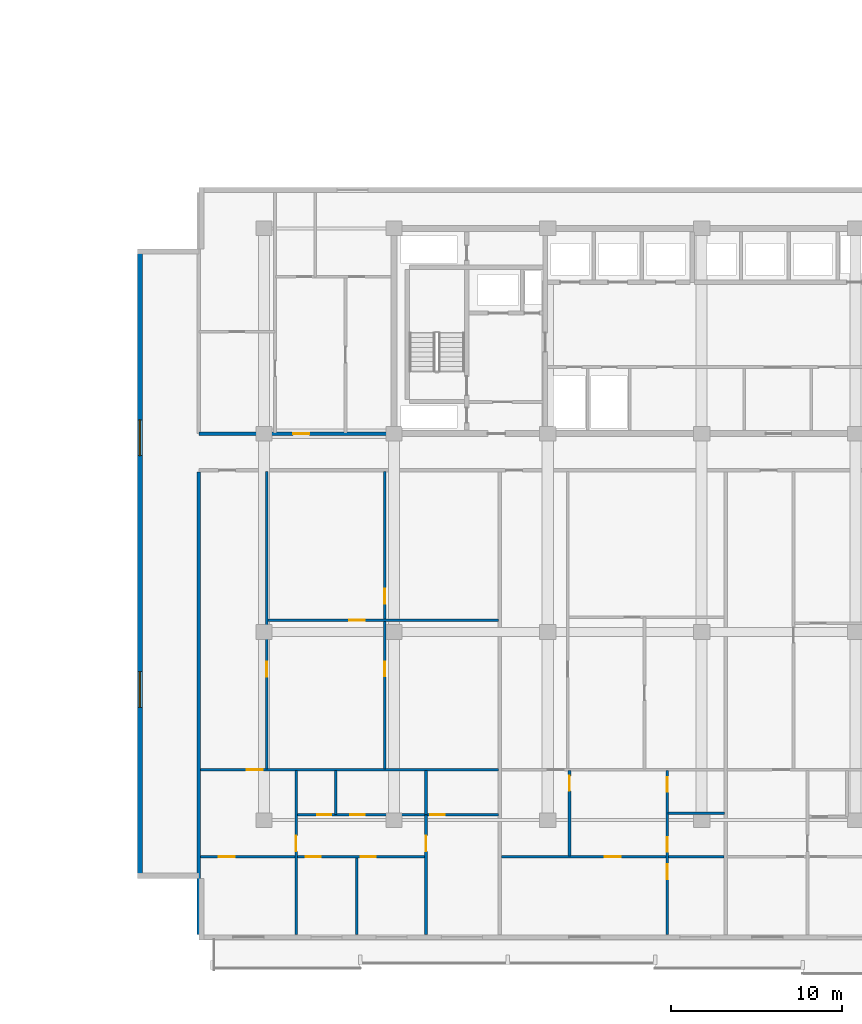
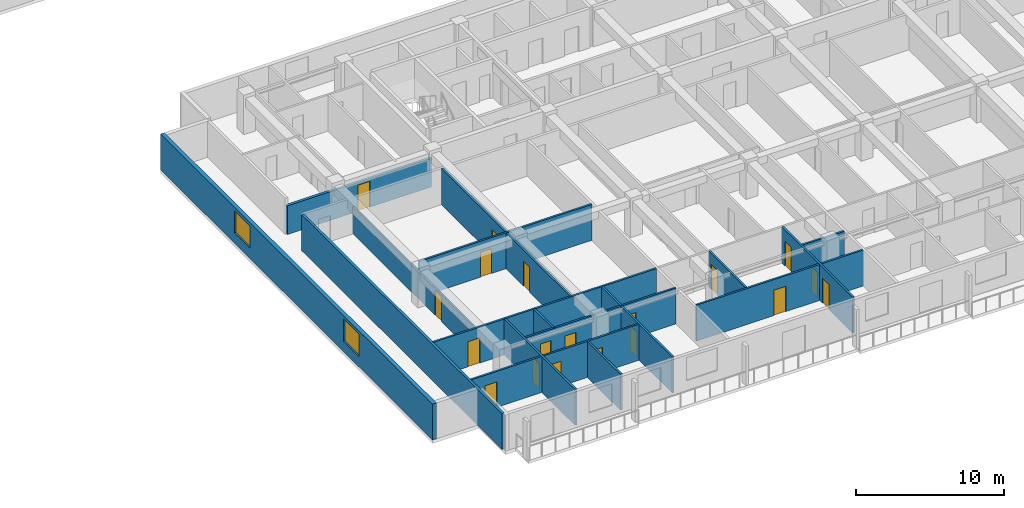
# One storey, part 4 of 23: 19 doors, 18 walls, 2 windows, 21 openings.
"""IFC4 building model written with IfcOpenShell, lengths in metres."""

from ifc_helpers import new_model, si_unit, direction, frame, frame_2d, origin, place, context, subcontext, project, spatial, rectangle, extrude, material, layer, layer_set, type_object, element, fill, save


model = new_model("IFC4")

# Units and contexts
model_context = context("Model", 3, precision=1e-05, world=origin(), true_north=direction((0.0, 1.0)))
body_context = subcontext(model_context, "Body", "Model", "MODEL_VIEW")
ifc_project = project(units=[si_unit("LENGTHUNIT", "METRE"), si_unit("AREAUNIT", "SQUARE_METRE"), si_unit("VOLUMEUNIT", "CUBIC_METRE"), si_unit("PLANEANGLEUNIT", "RADIAN"), si_unit("MASSUNIT", "GRAM", prefix="KILO")], contexts=[model_context])

# Site, building, storey
site_placement = place(None, origin())
site = spatial("IfcSite", under=ifc_project, at=site_placement, CompositionType="ELEMENT")
building_placement = place(site_placement, origin())
building = spatial("IfcBuilding", under=site, at=building_placement, Name="Korimba Cascade Residences", CompositionType="ELEMENT")
storey_placement = place(building_placement, frame((0.0, 0.0, 72.75)))
storey = spatial("IfcBuildingStorey", under=building, at=storey_placement, Name="L20", CompositionType="ELEMENT", Elevation=72.75)

# Wall, openings, windows
ifc_material_1 = material(Name="Precast concrete C40/50", Category="concrete")
ifc_layer_1 = layer(ifc_material_1, 0.300048828125)
ifc_layer_set_1 = layer_set([ifc_layer_1], Name="Precast concrete C40/50")
wall_type_1 = type_object("IfcWallType", Name="EW-STONE-300", PredefinedType="STANDARD", material=ifc_layer_set_1)
wall_1_placement = place(storey_placement, frame((67.25, 29.199951171875, 0.0), z_axis=(0.0, 0.0, 1.0), x_axis=(0.0, -1.0, 0.0)))
wall_1 = element("IfcWall", 1, at=wall_1_placement, inside=storey, type_object=wall_type_1, Name="L20 T2 Perimeter Stone Wall E09", PredefinedType="STANDARD", context=body_context, shape_type="SweptSolid", body=[
    extrude(rectangle(XDim=36.800048828125, YDim=0.300048828125, at=frame_2d((18.39990234375, 0.0))), origin(), (0.0, 0.0, 1.0), 2.969970703125),
])
opening_1_placement = place(wall_1_placement, frame((9.989990234375, 0.0, 0.85009765625)))
opening_1 = element("IfcOpeningElement", 2, at=opening_1_placement, cuts=wall_1, Name="Opening W-03", PredefinedType="OPENING", context=body_context, shape_type="SweptSolid", body=[
    extrude(rectangle(XDim=2.10009765625, YDim=1.85009765625, at=frame_2d((1.050048828125, 0.925048828125))), frame((0.0, 0.16015625, 0.0), z_axis=(0.0, -1.0, 0.0), x_axis=(1.0, 0.0, 0.0)), (0.0, 0.0, 1.0), 0.320068359375),
])
opening_2_placement = place(wall_1_placement, frame((24.7099609375, 0.0, 0.85009765625)))
opening_2 = element("IfcOpeningElement", 3, at=opening_2_placement, cuts=wall_1, Name="Opening W-03", PredefinedType="OPENING", context=body_context, shape_type="SweptSolid", body=[
    extrude(rectangle(XDim=2.10009765625, YDim=1.85009765625, at=frame_2d((1.050048828125, 0.925048828125))), frame((0.0, 0.16015625, 0.0), z_axis=(0.0, -1.0, 0.0), x_axis=(1.0, 0.0, 0.0)), (0.0, 0.0, 1.0), 0.320068359375),
])
ifc_material_2 = material(Name="Double-Glazed Aluminium Window", Category="aluminium")
window_type = type_object("IfcWindowType", Name="WIN-CRN-2100", PartitioningType="DOUBLE_PANEL_HORIZONTAL", PredefinedType="WINDOW", material=ifc_material_2)
window_1_placement = place(opening_1_placement, origin())
window_1 = element("IfcWindow", 4, at=window_1_placement, inside=storey, type_object=window_type, Name="L20 T2 End View Window 9.1", OverallHeight=1.85009765625, OverallWidth=2.10009765625, PartitioningType="DOUBLE_PANEL_HORIZONTAL", PredefinedType="WINDOW", context=body_context, shape_type="SweptSolid", body=[
    extrude(rectangle(XDim=2.10009765625, YDim=1.85009765625, at=frame_2d((1.050048828125, 0.925048828125))), frame((0.0, 0.030029296875, 0.0), z_axis=(0.0, -1.0, 0.0), x_axis=(1.0, 0.0, 0.0)), (0.0, 0.0, 1.0), 0.06005859375),
])
fill(opening_1, window_1)
window_2_placement = place(opening_2_placement, origin())
window_2 = element("IfcWindow", 5, at=window_2_placement, inside=storey, type_object=window_type, Name="L20 T2 End View Window 9.2", OverallHeight=1.85009765625, OverallWidth=2.10009765625, PartitioningType="DOUBLE_PANEL_HORIZONTAL", PredefinedType="WINDOW", context=body_context, shape_type="SweptSolid", body=[
    extrude(rectangle(XDim=2.10009765625, YDim=1.85009765625, at=frame_2d((1.050048828125, 0.925048828125))), frame((0.0, 0.030029296875, 0.0), z_axis=(0.0, -1.0, 0.0), x_axis=(1.0, 0.0, 0.0)), (0.0, 0.0, 1.0), 0.06005859375),
])
fill(opening_2, window_2)

# Wall, opening, door
ifc_layer_2 = layer(ifc_material_1, 0.199951171875)
ifc_layer_set_2 = layer_set([ifc_layer_2], Name="Precast concrete C40/50")
wall_type_2 = type_object("IfcWallType", Name="WAL-IT-200", PredefinedType="PARTITIONING", material=ifc_layer_set_2)
wall_2_placement = place(storey_placement, frame((70.699951171875, 18.39990234375, 0.0), z_axis=(0.0, 0.0, 1.0), x_axis=(1.0, 0.0, 0.0)))
wall_2 = element("IfcWall", 6, at=wall_2_placement, inside=storey, type_object=wall_type_2, Name="L20 Partition Wall WAL-L20-T2-FW-S", PredefinedType="PARTITIONING", context=body_context, shape_type="SweptSolid", body=[
    extrude(rectangle(XDim=11.25, YDim=0.199951171875, at=frame_2d((5.625, 0.0))), origin(), (0.0, 0.0, 1.0), 2.3701171875),
])
opening_3_placement = place(wall_2_placement, frame((5.50634765625, 0.0, 0.0)))
opening_3 = element("IfcOpeningElement", 7, at=opening_3_placement, cuts=wall_2, Name="Opening D-UN1", PredefinedType="OPENING", context=body_context, shape_type="SweptSolid", body=[
    extrude(rectangle(XDim=0.949951171875, YDim=2.14990234375, at=frame_2d((0.47509765625, 1.074951171875))), frame((0.0, 0.10986328125, 0.0), z_axis=(0.0, -1.0, 0.0), x_axis=(1.0, 0.0, 0.0)), (0.0, 0.0, 1.0), 0.219970703125),
])
ifc_material_3 = material(Name="Fire-Rated Hardwood Apartment Entrance Door", Category="wood")
door_type_1 = type_object("IfcDoorType", Name="DR-FD60-950", OperationType="NOTDEFINED", PredefinedType="DOOR", material=ifc_material_3)
door_1_placement = place(opening_3_placement, origin())
door_1 = element("IfcDoor", 8, at=door_1_placement, inside=storey, type_object=door_type_1, Name="L20-T2-FW Entrance Door", OperationType="SINGLE_SWING_RIGHT", OverallHeight=2.14990234375, OverallWidth=0.949951171875, PredefinedType="DOOR", context=body_context, shape_type="SweptSolid", body=[
    extrude(rectangle(XDim=0.949951171875, YDim=2.14990234375, at=frame_2d((0.47509765625, 1.074951171875))), frame((0.0, 0.02490234375, 0.0), z_axis=(0.0, -1.0, 0.0), x_axis=(1.0, 0.0, 0.0)), (0.0, 0.0, 1.0), 0.050048828125),
])
fill(opening_3, door_1)

# Wall
wall_3_placement = place(storey_placement, frame((70.699951171875, -10.89990234375, 0.0), z_axis=(0.0, 0.0, 1.0), x_axis=(0.0, 1.0, 0.0)))
element("IfcWall", 9, at=wall_3_placement, inside=storey, type_object=wall_type_2, Name="L20 Partition Wall WAL-L20-T2-BNDWL", PredefinedType="PARTITIONING", context=body_context, shape_type="SweptSolid", body=[
    extrude(rectangle(XDim=27.06982421875, YDim=0.199951171875, at=frame_2d((13.534912109375, 0.0))), origin(), (0.0, 0.0, 1.0), 2.969970703125),
])

# Wall, openings, doors
ifc_material_4 = material(Name="Insulated Acoustic Stud Partition", Category="gypsum")
ifc_layer_3 = layer(ifc_material_4, 0.14990234375)
ifc_layer_set_3 = layer_set([ifc_layer_3], Name="Insulated Acoustic Stud Partition")
wall_type_3 = type_object("IfcWallType", Name="WAL-PART-150", PredefinedType="PARTITIONING", material=ifc_layer_set_3)
wall_4_placement = place(storey_placement, frame((81.574951171875, -1.2099609375, 0.0), z_axis=(0.0, 0.0, 1.0), x_axis=(0.0, 1.0, 0.0)))
wall_4 = element("IfcWall", 10, at=wall_4_placement, inside=storey, type_object=wall_type_3, Name="L20 Partition Wall WAL-L20-T2-U01-FMV", PredefinedType="PARTITIONING", context=body_context, shape_type="SweptSolid", body=[
    extrude(rectangle(XDim=17.39990234375, YDim=0.14990234375, at=frame_2d((8.699951171875, 0.0))), origin(), (0.0, 0.0, 1.0), 2.969970703125),
])
opening_4_placement = place(wall_4_placement, frame((5.431884765625, 0.0, 0.0)))
opening_4 = element("IfcOpeningElement", 11, at=opening_4_placement, cuts=wall_4, Name="Opening D-BT1", PredefinedType="OPENING", context=body_context, shape_type="SweptSolid", body=[
    extrude(rectangle(XDim=0.840087890625, YDim=2.0400390625, at=frame_2d((0.419921875, 1.02001953125))), frame((0.0, 0.0849609375, 0.0), z_axis=(0.0, -1.0, 0.0), x_axis=(1.0, 0.0, 0.0)), (0.0, 0.0, 1.0), 0.169921875),
])
opening_5_placement = place(wall_4_placement, frame((9.672119140625, 0.0, 0.0)))
opening_5 = element("IfcOpeningElement", 12, at=opening_5_placement, cuts=wall_4, Name="Opening D-IN2", PredefinedType="OPENING", context=body_context, shape_type="SweptSolid", body=[
    extrude(rectangle(XDim=0.8798828125, YDim=2.06005859375, at=frame_2d((0.43994140625, 1.030029296875))), frame((0.0, 0.0849609375, 0.0), z_axis=(0.0, -1.0, 0.0), x_axis=(1.0, 0.0, 0.0)), (0.0, 0.0, 1.0), 0.169921875),
])
ifc_material_5 = material(Name="Moisture-Resistant Bathroom Timber Door", Category="wood")
door_type_2 = type_object("IfcDoorType", Name="DR-INT-850", OperationType="NOTDEFINED", PredefinedType="DOOR", material=ifc_material_5)
door_2_placement = place(opening_4_placement, origin())
door_2 = element("IfcDoor", 13, at=door_2_placement, inside=storey, type_object=door_type_2, Name="L20-T2-U01 Wardrobe Door", OperationType="SINGLE_SWING_LEFT", OverallHeight=2.0400390625, OverallWidth=0.840087890625, PredefinedType="DOOR", context=body_context, shape_type="SweptSolid", body=[
    extrude(rectangle(XDim=0.840087890625, YDim=2.0400390625, at=frame_2d((0.419921875, 1.02001953125))), frame((0.0, 0.02490234375, 0.0), z_axis=(0.0, -1.0, 0.0), x_axis=(1.0, 0.0, 0.0)), (0.0, 0.0, 1.0), 0.050048828125),
])
fill(opening_4, door_2)
ifc_material_6 = material(Name="Acoustic Timber Bedroom Door", Category="wood")
door_type_3 = type_object("IfcDoorType", Name="DR-INT-880", OperationType="NOTDEFINED", PredefinedType="DOOR", material=ifc_material_6)
door_3_placement = place(opening_5_placement, origin())
door_3 = element("IfcDoor", 14, at=door_3_placement, inside=storey, type_object=door_type_3, Name="L20-T2-U01 Music Lounge Door", OperationType="SINGLE_SWING_RIGHT", OverallHeight=2.06005859375, OverallWidth=0.8798828125, PredefinedType="DOOR", context=body_context, shape_type="SweptSolid", body=[
    extrude(rectangle(XDim=0.8798828125, YDim=2.06005859375, at=frame_2d((0.43994140625, 1.030029296875))), frame((0.0, 0.02490234375, 0.0), z_axis=(0.0, -1.0, 0.0), x_axis=(1.0, 0.0, 0.0)), (0.0, 0.0, 1.0), 0.050048828125),
])
fill(opening_5, door_3)

# Wall, opening, door
wall_5_placement = place(storey_placement, frame((74.72998046875, 7.489990234375, 0.0), z_axis=(0.0, 0.0, 1.0), x_axis=(1.0, 0.0, 0.0)))
wall_5 = element("IfcWall", 15, at=wall_5_placement, inside=storey, type_object=wall_type_3, Name="L20 Partition Wall WAL-L20-T2-U01-FMH", PredefinedType="PARTITIONING", context=body_context, shape_type="SweptSolid", body=[
    extrude(rectangle(XDim=13.489990234375, YDim=0.14990234375, at=frame_2d((6.7451171875, 0.0))), origin(), (0.0, 0.0, 1.0), 2.969970703125),
])
opening_6_placement = place(wall_5_placement, frame((4.77392578125, 0.0, 0.0)))
opening_6 = element("IfcOpeningElement", 16, at=opening_6_placement, cuts=wall_5, Name="Opening D-IN2", PredefinedType="OPENING", context=body_context, shape_type="SweptSolid", body=[
    extrude(rectangle(XDim=0.8798828125, YDim=2.06005859375, at=frame_2d((0.43994140625, 1.030029296875))), frame((0.0, 0.0849609375, 0.0), z_axis=(0.0, -1.0, 0.0), x_axis=(1.0, 0.0, 0.0)), (0.0, 0.0, 1.0), 0.169921875),
])
door_4_placement = place(opening_6_placement, origin())
door_4 = element("IfcDoor", 17, at=door_4_placement, inside=storey, type_object=door_type_3, Name="L20-T2-U01 Library Salon Door", OperationType="SINGLE_SWING_LEFT", OverallHeight=2.06005859375, OverallWidth=0.8798828125, PredefinedType="DOOR", context=body_context, shape_type="SweptSolid", body=[
    extrude(rectangle(XDim=0.8798828125, YDim=2.06005859375, at=frame_2d((0.43994140625, 1.030029296875))), frame((0.0, 0.02490234375, 0.0), z_axis=(0.0, -1.0, 0.0), x_axis=(1.0, 0.0, 0.0)), (0.0, 0.0, 1.0), 0.050048828125),
])
fill(opening_6, door_4)

wall_6_placement = place(storey_placement, frame((74.669921875, -1.2099609375, 0.0), z_axis=(0.0, 0.0, 1.0), x_axis=(0.0, 1.0, 0.0)))
wall_6 = element("IfcWall", 18, at=wall_6_placement, inside=storey, type_object=wall_type_3, Name="L20 Partition Wall WAL-L20-T2-U01-FV", PredefinedType="PARTITIONING", context=body_context, shape_type="SweptSolid", body=[
    extrude(rectangle(XDim=17.39990234375, YDim=0.14990234375, at=frame_2d((8.699951171875, 0.0))), origin(), (0.0, 0.0, 1.0), 2.219970703125),
])
opening_7_placement = place(wall_6_placement, frame((5.404052734375, 0.0, 0.0)))
opening_7 = element("IfcOpeningElement", 19, at=opening_7_placement, cuts=wall_6, Name="Opening D-IN2", PredefinedType="OPENING", context=body_context, shape_type="SweptSolid", body=[
    extrude(rectangle(XDim=0.8798828125, YDim=2.06005859375, at=frame_2d((0.43994140625, 1.030029296875))), frame((0.0, 0.0849609375, 0.0), z_axis=(0.0, -1.0, 0.0), x_axis=(1.0, 0.0, 0.0)), (0.0, 0.0, 1.0), 0.169921875),
])
door_5_placement = place(opening_7_placement, origin())
door_5 = element("IfcDoor", 20, at=door_5_placement, inside=storey, type_object=door_type_3, Name="L20-T2-U01 Media Lounge Door", OperationType="SINGLE_SWING_RIGHT", OverallHeight=2.06005859375, OverallWidth=0.8798828125, PredefinedType="DOOR", context=body_context, shape_type="SweptSolid", body=[
    extrude(rectangle(XDim=0.8798828125, YDim=2.06005859375, at=frame_2d((0.43994140625, 1.030029296875))), frame((0.0, 0.02490234375, 0.0), z_axis=(0.0, -1.0, 0.0), x_axis=(1.0, 0.0, 0.0)), (0.0, 0.0, 1.0), 0.050048828125),
])
fill(opening_7, door_5)

# Walls
wall_7_placement = place(storey_placement, frame((78.68994140625, -3.8701171875, 0.0), z_axis=(0.0, 0.0, 1.0), x_axis=(0.0, 1.0, 0.0)))
element("IfcWall", 21, at=wall_7_placement, inside=storey, type_object=wall_type_3, Name="L20 Partition Wall WAL-L20-T2-U01-VDRS", PredefinedType="PARTITIONING", context=body_context, shape_type="SweptSolid", body=[
    extrude(rectangle(XDim=2.580078125, YDim=0.14990234375, at=frame_2d((1.2900390625, 0.0))), origin(), (0.0, 0.0, 1.0), 2.969970703125),
])
wall_8_placement = place(storey_placement, frame((79.929931640625, -10.89990234375, 0.0), z_axis=(0.0, 0.0, 1.0), x_axis=(0.0, 1.0, 0.0)))
element("IfcWall", 22, at=wall_8_placement, inside=storey, type_object=wall_type_3, Name="L20 Partition Wall WAL-L20-T2-U01-VSTD", PredefinedType="PARTITIONING", context=body_context, shape_type="SweptSolid", body=[
    extrude(rectangle(XDim=4.469970703125, YDim=0.14990234375, at=frame_2d((2.23486328125, 0.0))), origin(), (0.0, 0.0, 1.0), 2.969970703125),
])

# Wall, opening, door
wall_9_placement = place(storey_placement, frame((76.3798828125, -10.89990234375, 0.0), z_axis=(0.0, 0.0, 1.0), x_axis=(0.0, 1.0, 0.0)))
wall_9 = element("IfcWall", 23, at=wall_9_placement, inside=storey, type_object=wall_type_3, Name="L20 Partition Wall WAL-L20-T2-U01-V1", PredefinedType="PARTITIONING", context=body_context, shape_type="SweptSolid", body=[
    extrude(rectangle(XDim=9.60986328125, YDim=0.14990234375, at=frame_2d((4.804931640625, 0.0))), origin(), (0.0, 0.0, 1.0), 2.969970703125),
])
opening_8_placement = place(wall_9_placement, frame((4.8701171875, 0.0, 0.0)))
opening_8 = element("IfcOpeningElement", 24, at=opening_8_placement, cuts=wall_9, Name="Opening D-IN1", PredefinedType="OPENING", context=body_context, shape_type="SweptSolid", body=[
    extrude(rectangle(XDim=0.919921875, YDim=2.080078125, at=frame_2d((0.4599609375, 1.0400390625))), frame((0.0, 0.0849609375, 0.0), z_axis=(0.0, -1.0, 0.0), x_axis=(1.0, 0.0, 0.0)), (0.0, 0.0, 1.0), 0.169921875),
])
ifc_material_7 = material(Name="Acoustic Timber Living Door", Category="wood")
door_type_4 = type_object("IfcDoorType", Name="DR-INT-920", OperationType="NOTDEFINED", PredefinedType="DOOR", material=ifc_material_7)
door_6_placement = place(opening_8_placement, origin())
door_6 = element("IfcDoor", 25, at=door_6_placement, inside=storey, type_object=door_type_4, Name="L20-T2-U01 Hallway Door", OperationType="SINGLE_SWING_LEFT", OverallHeight=2.080078125, OverallWidth=0.919921875, PredefinedType="DOOR", context=body_context, shape_type="SweptSolid", body=[
    extrude(rectangle(XDim=0.919921875, YDim=2.080078125, at=frame_2d((0.4599609375, 1.0400390625))), frame((0.0, 0.02490234375, 0.0), z_axis=(0.0, -1.0, 0.0), x_axis=(1.0, 0.0, 0.0)), (0.0, 0.0, 1.0), 0.050048828125),
])
fill(opening_8, door_6)

# Wall
wall_10_placement = place(storey_placement, frame((83.97998046875, -3.8701171875, 0.0), z_axis=(0.0, 0.0, 1.0), x_axis=(0.0, 1.0, 0.0)))
element("IfcWall", 26, at=wall_10_placement, inside=storey, type_object=wall_type_3, Name="L20 Partition Wall WAL-L20-T2-U01-VBATH", PredefinedType="PARTITIONING", context=body_context, shape_type="SweptSolid", body=[
    extrude(rectangle(XDim=2.580078125, YDim=0.14990234375, at=frame_2d((1.2900390625, 0.0))), origin(), (0.0, 0.0, 1.0), 2.969970703125),
])

# Wall, opening, door
wall_11_placement = place(storey_placement, frame((83.97998046875, -10.89990234375, 0.0), z_axis=(0.0, 0.0, 1.0), x_axis=(0.0, 1.0, 0.0)))
wall_11 = element("IfcWall", 27, at=wall_11_placement, inside=storey, type_object=wall_type_3, Name="L20 Partition Wall WAL-L20-T2-U01-V2FULL", PredefinedType="PARTITIONING", context=body_context, shape_type="SweptSolid", body=[
    extrude(rectangle(XDim=6.989990234375, YDim=0.14990234375, at=frame_2d((3.4951171875, 0.0))), origin(), (0.0, 0.0, 1.0), 2.969970703125),
])
opening_9_placement = place(wall_11_placement, frame((4.8701171875, 0.0, 0.0)))
opening_9 = element("IfcOpeningElement", 28, at=opening_9_placement, cuts=wall_11, Name="Opening D-IN1", PredefinedType="OPENING", context=body_context, shape_type="SweptSolid", body=[
    extrude(rectangle(XDim=0.919921875, YDim=2.080078125, at=frame_2d((0.4599609375, 1.0400390625))), frame((0.0, 0.0849609375, 0.0), z_axis=(0.0, -1.0, 0.0), x_axis=(1.0, 0.0, 0.0)), (0.0, 0.0, 1.0), 0.169921875),
])
door_7_placement = place(opening_9_placement, origin())
door_7 = element("IfcDoor", 29, at=door_7_placement, inside=storey, type_object=door_type_4, Name="L20-T2-U01 Master Bedroom Door", OperationType="SINGLE_SWING_RIGHT", OverallHeight=2.080078125, OverallWidth=0.919921875, PredefinedType="DOOR", context=body_context, shape_type="SweptSolid", body=[
    extrude(rectangle(XDim=0.919921875, YDim=2.080078125, at=frame_2d((0.4599609375, 1.0400390625))), frame((0.0, 0.02490234375, 0.0), z_axis=(0.0, -1.0, 0.0), x_axis=(1.0, 0.0, 0.0)), (0.0, 0.0, 1.0), 0.050048828125),
])
fill(opening_9, door_7)

# Wall, openings, doors
wall_12_placement = place(storey_placement, frame((76.419921875, -3.889892578125, 0.0), z_axis=(0.0, 0.0, 1.0), x_axis=(1.0, 0.0, 0.0)))
wall_12 = element("IfcWall", 30, at=wall_12_placement, inside=storey, type_object=wall_type_3, Name="L20 Partition Wall WAL-L20-T2-U01-HWALL", PredefinedType="PARTITIONING", context=body_context, shape_type="SweptSolid", body=[
    extrude(rectangle(XDim=11.800048828125, YDim=0.14990234375, at=frame_2d((5.89990234375, 0.0))), origin(), (0.0, 0.0, 1.0), 2.969970703125),
])
opening_10_placement = place(wall_12_placement, frame((1.19091796875, 0.0, 0.0)))
opening_10 = element("IfcOpeningElement", 31, at=opening_10_placement, cuts=wall_12, Name="Opening D-BT1", PredefinedType="OPENING", context=body_context, shape_type="SweptSolid", body=[
    extrude(rectangle(XDim=0.840087890625, YDim=2.0400390625, at=frame_2d((0.419921875, 1.02001953125))), frame((0.0, 0.0849609375, 0.0), z_axis=(0.0, -1.0, 0.0), x_axis=(1.0, 0.0, 0.0)), (0.0, 0.0, 1.0), 0.169921875),
])
opening_11_placement = place(wall_12_placement, frame((3.131591796875, 0.0, 0.0)))
opening_11 = element("IfcOpeningElement", 32, at=opening_11_placement, cuts=wall_12, Name="Opening D-BT1", PredefinedType="OPENING", context=body_context, shape_type="SweptSolid", body=[
    extrude(rectangle(XDim=0.840087890625, YDim=2.0400390625, at=frame_2d((0.419921875, 1.02001953125))), frame((0.0, 0.0849609375, 0.0), z_axis=(0.0, -1.0, 0.0), x_axis=(1.0, 0.0, 0.0)), (0.0, 0.0, 1.0), 0.169921875),
])
opening_12_placement = place(wall_12_placement, frame((7.81005859375, 0.0, 0.0)))
opening_12 = element("IfcOpeningElement", 33, at=opening_12_placement, cuts=wall_12, Name="Opening D-BT1", PredefinedType="OPENING", context=body_context, shape_type="SweptSolid", body=[
    extrude(rectangle(XDim=0.840087890625, YDim=2.0400390625, at=frame_2d((0.419921875, 1.02001953125))), frame((0.0, 0.0849609375, 0.0), z_axis=(0.0, -1.0, 0.0), x_axis=(1.0, 0.0, 0.0)), (0.0, 0.0, 1.0), 0.169921875),
])
door_8_placement = place(opening_10_placement, origin())
door_8 = element("IfcDoor", 34, at=door_8_placement, inside=storey, type_object=door_type_2, Name="L20-T2-U01 Family Bathroom Door", OperationType="SINGLE_SWING_LEFT", OverallHeight=2.0400390625, OverallWidth=0.840087890625, PredefinedType="DOOR", context=body_context, shape_type="SweptSolid", body=[
    extrude(rectangle(XDim=0.840087890625, YDim=2.0400390625, at=frame_2d((0.419921875, 1.02001953125))), frame((0.0, 0.02490234375, 0.0), z_axis=(0.0, -1.0, 0.0), x_axis=(1.0, 0.0, 0.0)), (0.0, 0.0, 1.0), 0.050048828125),
])
fill(opening_10, door_8)
door_9_placement = place(opening_11_placement, origin())
door_9 = element("IfcDoor", 35, at=door_9_placement, inside=storey, type_object=door_type_2, Name="L20-T2-U01 Dressing Room Door", OperationType="SINGLE_SWING_RIGHT", OverallHeight=2.0400390625, OverallWidth=0.840087890625, PredefinedType="DOOR", context=body_context, shape_type="SweptSolid", body=[
    extrude(rectangle(XDim=0.840087890625, YDim=2.0400390625, at=frame_2d((0.419921875, 1.02001953125))), frame((0.0, 0.02490234375, 0.0), z_axis=(0.0, -1.0, 0.0), x_axis=(1.0, 0.0, 0.0)), (0.0, 0.0, 1.0), 0.050048828125),
])
fill(opening_11, door_9)
door_10_placement = place(opening_12_placement, origin())
door_10 = element("IfcDoor", 36, at=door_10_placement, inside=storey, type_object=door_type_2, Name="L20-T2-U01 En-Suite Door", OperationType="SINGLE_SWING_LEFT", OverallHeight=2.0400390625, OverallWidth=0.840087890625, PredefinedType="DOOR", context=body_context, shape_type="SweptSolid", body=[
    extrude(rectangle(XDim=0.840087890625, YDim=2.0400390625, at=frame_2d((0.419921875, 1.02001953125))), frame((0.0, 0.02490234375, 0.0), z_axis=(0.0, -1.0, 0.0), x_axis=(1.0, 0.0, 0.0)), (0.0, 0.0, 1.0), 0.050048828125),
])
fill(opening_12, door_10)

# Wall, opening, door
wall_13_placement = place(storey_placement, frame((70.780029296875, -1.25, 0.0), z_axis=(0.0, 0.0, 1.0), x_axis=(1.0, 0.0, 0.0)))
wall_13 = element("IfcWall", 37, at=wall_13_placement, inside=storey, type_object=wall_type_3, Name="L20 Partition Wall WAL-L20-T2-U01-MW", PredefinedType="PARTITIONING", context=body_context, shape_type="SweptSolid", body=[
    extrude(rectangle(XDim=17.43994140625, YDim=0.14990234375, at=frame_2d((8.719970703125, 0.0))), origin(), (0.0, 0.0, 1.0), 2.969970703125),
])
opening_13_placement = place(wall_13_placement, frame((2.719970703125, 0.0, 0.0)))
opening_13 = element("IfcOpeningElement", 38, at=opening_13_placement, cuts=wall_13, Name="Opening D-IN1", PredefinedType="OPENING", context=body_context, shape_type="SweptSolid", body=[
    extrude(rectangle(XDim=0.919921875, YDim=2.080078125, at=frame_2d((0.4599609375, 1.0400390625))), frame((0.0, 0.0849609375, 0.0), z_axis=(0.0, -1.0, 0.0), x_axis=(1.0, 0.0, 0.0)), (0.0, 0.0, 1.0), 0.169921875),
])
door_11_placement = place(opening_13_placement, origin())
door_11 = element("IfcDoor", 39, at=door_11_placement, inside=storey, type_object=door_type_4, Name="L20-T2-U01 Kitchen Door", OperationType="SINGLE_SWING_RIGHT", OverallHeight=2.080078125, OverallWidth=0.919921875, PredefinedType="DOOR", context=body_context, shape_type="SweptSolid", body=[
    extrude(rectangle(XDim=0.919921875, YDim=2.080078125, at=frame_2d((0.4599609375, 1.0400390625))), frame((0.0, 0.02490234375, 0.0), z_axis=(0.0, -1.0, 0.0), x_axis=(1.0, 0.0, 0.0)), (0.0, 0.0, 1.0), 0.050048828125),
])
fill(opening_13, door_11)

# Wall, openings, doors
wall_14_placement = place(storey_placement, frame((70.780029296875, -6.35009765625, 0.0), z_axis=(0.0, 0.0, 1.0), x_axis=(1.0, 0.0, 0.0)))
wall_14 = element("IfcWall", 40, at=wall_14_placement, inside=storey, type_object=wall_type_3, Name="L20 Partition Wall WAL-L20-T2-U01-HZ", PredefinedType="PARTITIONING", context=body_context, shape_type="SweptSolid", body=[
    extrude(rectangle(XDim=13.199951171875, YDim=0.14990234375, at=frame_2d((6.60009765625, 0.0))), origin(), (0.0, 0.0, 1.0), 2.969970703125),
])
opening_14_placement = place(wall_14_placement, frame((1.08203125, 0.0, 0.0)))
opening_14 = element("IfcOpeningElement", 41, at=opening_14_placement, cuts=wall_14, Name="Opening D-IN0", PredefinedType="OPENING", context=body_context, shape_type="SweptSolid", body=[
    extrude(rectangle(XDim=0.93994140625, YDim=2.10009765625, at=frame_2d((0.469970703125, 1.050048828125))), frame((0.0, 0.0849609375, 0.0), z_axis=(0.0, -1.0, 0.0), x_axis=(1.0, 0.0, 0.0)), (0.0, 0.0, 1.0), 0.169921875),
])
opening_15_placement = place(wall_14_placement, frame((6.159912109375, 0.0, 0.0)))
opening_15 = element("IfcOpeningElement", 42, at=opening_15_placement, cuts=wall_14, Name="Opening D-IN2", PredefinedType="OPENING", context=body_context, shape_type="SweptSolid", body=[
    extrude(rectangle(XDim=0.8798828125, YDim=2.06005859375, at=frame_2d((0.43994140625, 1.030029296875))), frame((0.0, 0.0849609375, 0.0), z_axis=(0.0, -1.0, 0.0), x_axis=(1.0, 0.0, 0.0)), (0.0, 0.0, 1.0), 0.169921875),
])
opening_16_placement = place(wall_14_placement, frame((9.3701171875, 0.0, 0.0)))
opening_16 = element("IfcOpeningElement", 43, at=opening_16_placement, cuts=wall_14, Name="Opening D-IN2", PredefinedType="OPENING", context=body_context, shape_type="SweptSolid", body=[
    extrude(rectangle(XDim=0.8798828125, YDim=2.06005859375, at=frame_2d((0.43994140625, 1.030029296875))), frame((0.0, 0.0849609375, 0.0), z_axis=(0.0, -1.0, 0.0), x_axis=(1.0, 0.0, 0.0)), (0.0, 0.0, 1.0), 0.169921875),
])
door_12_placement = place(opening_15_placement, origin())
door_12 = element("IfcDoor", 44, at=door_12_placement, inside=storey, type_object=door_type_3, Name="L20-T2-U01 Bedroom 2 Door", OperationType="SINGLE_SWING_RIGHT", OverallHeight=2.06005859375, OverallWidth=0.8798828125, PredefinedType="DOOR", context=body_context, shape_type="SweptSolid", body=[
    extrude(rectangle(XDim=0.8798828125, YDim=2.06005859375, at=frame_2d((0.43994140625, 1.030029296875))), frame((0.0, 0.02490234375, 0.0), z_axis=(0.0, -1.0, 0.0), x_axis=(1.0, 0.0, 0.0)), (0.0, 0.0, 1.0), 0.050048828125),
])
fill(opening_15, door_12)
door_13_placement = place(opening_16_placement, origin())
door_13 = element("IfcDoor", 45, at=door_13_placement, inside=storey, type_object=door_type_3, Name="L20-T2-U01 Study Door", OperationType="SINGLE_SWING_LEFT", OverallHeight=2.06005859375, OverallWidth=0.8798828125, PredefinedType="DOOR", context=body_context, shape_type="SweptSolid", body=[
    extrude(rectangle(XDim=0.8798828125, YDim=2.06005859375, at=frame_2d((0.43994140625, 1.030029296875))), frame((0.0, 0.02490234375, 0.0), z_axis=(0.0, -1.0, 0.0), x_axis=(1.0, 0.0, 0.0)), (0.0, 0.0, 1.0), 0.050048828125),
])
fill(opening_16, door_13)
ifc_material_8 = material(Name="Acoustic Timber Living Archway Door", Category="wood")
door_type_5 = type_object("IfcDoorType", Name="DR-INT-950", OperationType="NOTDEFINED", PredefinedType="DOOR", material=ifc_material_8)
door_14_placement = place(opening_14_placement, origin())
door_14 = element("IfcDoor", 46, at=door_14_placement, inside=storey, type_object=door_type_5, Name="L20-T2-U01 Living Room Door", OperationType="SINGLE_SWING_LEFT", OverallHeight=2.10009765625, OverallWidth=0.93994140625, PredefinedType="DOOR", context=body_context, shape_type="SweptSolid", body=[
    extrude(rectangle(XDim=0.93994140625, YDim=2.10009765625, at=frame_2d((0.469970703125, 1.050048828125))), frame((0.0, 0.02490234375, 0.0), z_axis=(0.0, -1.0, 0.0), x_axis=(1.0, 0.0, 0.0)), (0.0, 0.0, 1.0), 0.050048828125),
])
fill(opening_14, door_14)

# Wall, opening, door
wall_15_placement = place(storey_placement, frame((92.3701171875, -6.2900390625, 0.0), z_axis=(0.0, 0.0, 1.0), x_axis=(0.0, 1.0, 0.0)))
wall_15 = element("IfcWall", 47, at=wall_15_placement, inside=storey, type_object=wall_type_3, Name="L20 Partition Wall WAL-L20-T2-U02-VDIN", PredefinedType="PARTITIONING", context=body_context, shape_type="SweptSolid", body=[
    extrude(rectangle(XDim=5.0, YDim=0.14990234375, at=frame_2d((2.5, 0.0))), origin(), (0.0, 0.0, 1.0), 2.969970703125),
])
opening_17_placement = place(wall_15_placement, frame((3.7958984375, 0.0, 0.0)))
opening_17 = element("IfcOpeningElement", 48, at=opening_17_placement, cuts=wall_15, Name="Opening D-IN2", PredefinedType="OPENING", context=body_context, shape_type="SweptSolid", body=[
    extrude(rectangle(XDim=0.8798828125, YDim=2.06005859375, at=frame_2d((0.43994140625, 1.030029296875))), frame((0.0, 0.0849609375, 0.0), z_axis=(0.0, -1.0, 0.0), x_axis=(1.0, 0.0, 0.0)), (0.0, 0.0, 1.0), 0.169921875),
])
door_15_placement = place(opening_17_placement, origin())
door_15 = element("IfcDoor", 49, at=door_15_placement, inside=storey, type_object=door_type_3, Name="L20-T2-U02 Dining Room Door", OperationType="SINGLE_SWING_LEFT", OverallHeight=2.06005859375, OverallWidth=0.8798828125, PredefinedType="DOOR", context=body_context, shape_type="SweptSolid", body=[
    extrude(rectangle(XDim=0.8798828125, YDim=2.06005859375, at=frame_2d((0.43994140625, 1.030029296875))), frame((0.0, 0.02490234375, 0.0), z_axis=(0.0, -1.0, 0.0), x_axis=(1.0, 0.0, 0.0)), (0.0, 0.0, 1.0), 0.050048828125),
])
fill(opening_17, door_15)

# Wall
wall_16_placement = place(storey_placement, frame((98.139892578125, -3.7900390625, 0.0), z_axis=(0.0, 0.0, 1.0), x_axis=(1.0, 0.0, 0.0)))
element("IfcWall", 50, at=wall_16_placement, inside=storey, type_object=wall_type_3, Name="L20 Partition Wall WAL-L20-T2-U02-BLDIV", PredefinedType="PARTITIONING", context=body_context, shape_type="SweptSolid", body=[
    extrude(rectangle(XDim=3.280029296875, YDim=0.14990234375, at=frame_2d((1.64013671875, 0.0))), origin(), (0.0, 0.0, 1.0), 2.969970703125),
])

# Wall, openings, doors
wall_17_placement = place(storey_placement, frame((98.080078125, -10.89990234375, 0.0), z_axis=(0.0, 0.0, 1.0), x_axis=(0.0, 1.0, 0.0)))
wall_17 = element("IfcWall", 51, at=wall_17_placement, inside=storey, type_object=wall_type_3, Name="L20 Partition Wall WAL-L20-T2-U02-V1", PredefinedType="PARTITIONING", context=body_context, shape_type="SweptSolid", body=[
    extrude(rectangle(XDim=9.60986328125, YDim=0.14990234375, at=frame_2d((4.804931640625, 0.0))), origin(), (0.0, 0.0, 1.0), 2.969970703125),
])
opening_18_placement = place(wall_17_placement, frame((4.85009765625, 0.0, 0.0)))
opening_18 = element("IfcOpeningElement", 52, at=opening_18_placement, cuts=wall_17, Name="Opening D-BT1", PredefinedType="OPENING", context=body_context, shape_type="SweptSolid", body=[
    extrude(rectangle(XDim=0.840087890625, YDim=2.0400390625, at=frame_2d((0.419921875, 1.02001953125))), frame((0.0, 0.0849609375, 0.0), z_axis=(0.0, -1.0, 0.0), x_axis=(1.0, 0.0, 0.0)), (0.0, 0.0, 1.0), 0.169921875),
])
opening_19_placement = place(wall_17_placement, frame((8.3564453125, 0.0, 0.0)))
opening_19 = element("IfcOpeningElement", 53, at=opening_19_placement, cuts=wall_17, Name="Opening D-BT1", PredefinedType="OPENING", context=body_context, shape_type="SweptSolid", body=[
    extrude(rectangle(XDim=0.840087890625, YDim=2.0400390625, at=frame_2d((0.419921875, 1.02001953125))), frame((0.0, 0.0849609375, 0.0), z_axis=(0.0, -1.0, 0.0), x_axis=(1.0, 0.0, 0.0)), (0.0, 0.0, 1.0), 0.169921875),
])
opening_20_placement = place(wall_17_placement, frame((3.25, 0.0, 0.0)))
opening_20 = element("IfcOpeningElement", 54, at=opening_20_placement, cuts=wall_17, Name="Opening D-IN2", PredefinedType="OPENING", context=body_context, shape_type="SweptSolid", body=[
    extrude(rectangle(XDim=0.8798828125, YDim=2.06005859375, at=frame_2d((0.43994140625, 1.030029296875))), frame((0.0, 0.0849609375, 0.0), z_axis=(0.0, -1.0, 0.0), x_axis=(1.0, 0.0, 0.0)), (0.0, 0.0, 1.0), 0.169921875),
])
door_16_placement = place(opening_18_placement, origin())
door_16 = element("IfcDoor", 55, at=door_16_placement, inside=storey, type_object=door_type_2, Name="L20-T2-U02 Bathroom Door", OperationType="SINGLE_SWING_RIGHT", OverallHeight=2.0400390625, OverallWidth=0.840087890625, PredefinedType="DOOR", context=body_context, shape_type="SweptSolid", body=[
    extrude(rectangle(XDim=0.840087890625, YDim=2.0400390625, at=frame_2d((0.419921875, 1.02001953125))), frame((0.0, 0.02490234375, 0.0), z_axis=(0.0, -1.0, 0.0), x_axis=(1.0, 0.0, 0.0)), (0.0, 0.0, 1.0), 0.050048828125),
])
fill(opening_18, door_16)
door_17_placement = place(opening_19_placement, origin())
door_17 = element("IfcDoor", 56, at=door_17_placement, inside=storey, type_object=door_type_2, Name="L20-T2-U02 Laundry Door", OperationType="SINGLE_SWING_LEFT", OverallHeight=2.0400390625, OverallWidth=0.840087890625, PredefinedType="DOOR", context=body_context, shape_type="SweptSolid", body=[
    extrude(rectangle(XDim=0.840087890625, YDim=2.0400390625, at=frame_2d((0.419921875, 1.02001953125))), frame((0.0, 0.02490234375, 0.0), z_axis=(0.0, -1.0, 0.0), x_axis=(1.0, 0.0, 0.0)), (0.0, 0.0, 1.0), 0.050048828125),
])
fill(opening_19, door_17)
door_18_placement = place(opening_20_placement, origin())
door_18 = element("IfcDoor", 57, at=door_18_placement, inside=storey, type_object=door_type_3, Name="L20-T2-U02 Bedroom 1 Door", OperationType="SINGLE_SWING_RIGHT", OverallHeight=2.06005859375, OverallWidth=0.8798828125, PredefinedType="DOOR", context=body_context, shape_type="SweptSolid", body=[
    extrude(rectangle(XDim=0.8798828125, YDim=2.06005859375, at=frame_2d((0.43994140625, 1.030029296875))), frame((0.0, 0.02490234375, 0.0), z_axis=(0.0, -1.0, 0.0), x_axis=(1.0, 0.0, 0.0)), (0.0, 0.0, 1.0), 0.050048828125),
])
fill(opening_20, door_18)

# Wall, opening, door
wall_18_placement = place(storey_placement, frame((88.3798828125, -6.35009765625, 0.0), z_axis=(0.0, 0.0, 1.0), x_axis=(1.0, 0.0, 0.0)))
wall_18 = element("IfcWall", 58, at=wall_18_placement, inside=storey, type_object=wall_type_3, Name="L20 Partition Wall WAL-L20-T2-U02-HZ", PredefinedType="PARTITIONING", context=body_context, shape_type="SweptSolid", body=[
    extrude(rectangle(XDim=13.0400390625, YDim=0.14990234375, at=frame_2d((6.52001953125, 0.0))), origin(), (0.0, 0.0, 1.0), 2.969970703125),
])
opening_21_placement = place(wall_18_placement, frame((6.050048828125, 0.0, 0.0)))
opening_21 = element("IfcOpeningElement", 59, at=opening_21_placement, cuts=wall_18, Name="Opening D-IN0", PredefinedType="OPENING", context=body_context, shape_type="SweptSolid", body=[
    extrude(rectangle(XDim=0.93994140625, YDim=2.10009765625, at=frame_2d((0.469970703125, 1.050048828125))), frame((0.0, 0.0849609375, 0.0), z_axis=(0.0, -1.0, 0.0), x_axis=(1.0, 0.0, 0.0)), (0.0, 0.0, 1.0), 0.169921875),
])
door_19_placement = place(opening_21_placement, origin())
door_19 = element("IfcDoor", 60, at=door_19_placement, inside=storey, type_object=door_type_5, Name="L20-T2-U02 Living Archway Door", OperationType="SINGLE_SWING_RIGHT", OverallHeight=2.10009765625, OverallWidth=0.93994140625, PredefinedType="DOOR", context=body_context, shape_type="SweptSolid", body=[
    extrude(rectangle(XDim=0.93994140625, YDim=2.10009765625, at=frame_2d((0.469970703125, 1.050048828125))), frame((0.0, 0.02490234375, 0.0), z_axis=(0.0, -1.0, 0.0), x_axis=(1.0, 0.0, 0.0)), (0.0, 0.0, 1.0), 0.050048828125),
])
fill(opening_21, door_19)

save(model, "model.ifc")
